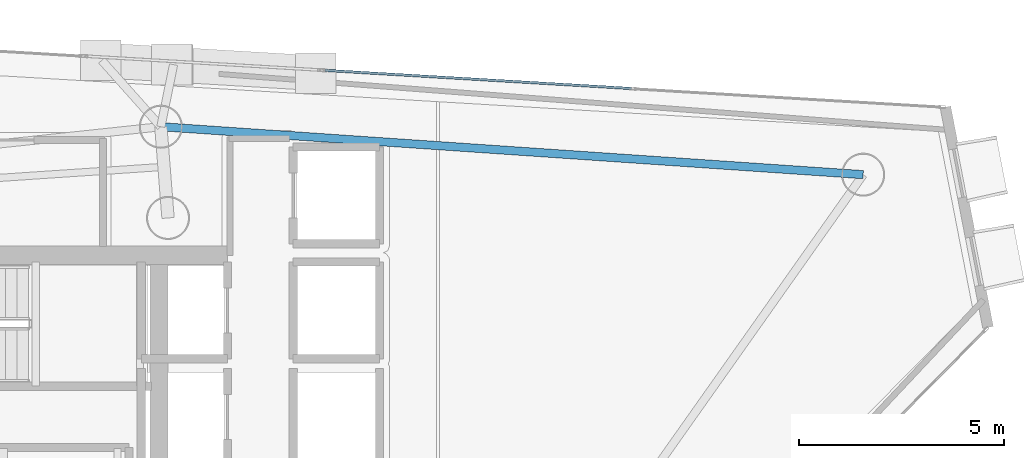
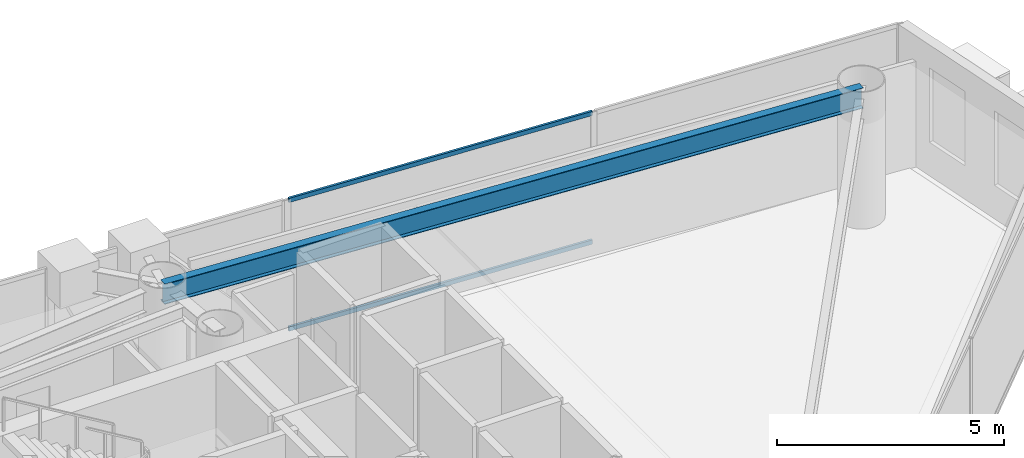
# One storey, part 13 of 20: 2 members, 1 beam, 1 element without a shape of its own.
"""IFC4 building model written with IfcOpenShell, lengths in metres."""

import ifcopenshell
import ifcopenshell.guid

model = None  # the IFC model being written
_history = None  # IfcOwnerHistory: only IFC2X3 demands one
_inside = {}  # id of a spatial element -> (the spatial element, [elements in it])
_under = {}  # id of a project, library or spatial element -> (it, [spatial elements below it])
_declared = {}  # id of a project -> (the project, [libraries it declares])
_typed = {}  # id of a type object -> (the type object, [elements of that type])
_made_of = {}  # id of a material, layer set ... -> (it, [elements and type objects made of it])


def new_model(schema):
    """Start an empty IFC model of exactly this schema.

    Asked for "IFC4X3", IfcOpenShell would pick the latest addendum, in which some entities
    have other attributes; the version numbers below select the first issue.
    IFC2X3 requires an IfcOwnerHistory on every rooted entity: one is made here for all.
    """
    global model, _history
    if schema == "IFC4X3":
        model = ifcopenshell.file(schema_version=(4, 3, 0, 0))
    else:
        model = ifcopenshell.file(schema=schema)
    _inside.clear()
    _under.clear()
    _declared.clear()
    _typed.clear()
    _made_of.clear()
    _history = None
    if model.schema == "IFC2X3":
        org = make("IfcOrganization", Name="unknown")
        user = make(
            "IfcPersonAndOrganization",
            ThePerson=make("IfcPerson", FamilyName="unknown"),
            TheOrganization=org,
        )
        app = make(
            "IfcApplication",
            ApplicationDeveloper=org,
            Version="unknown",
            ApplicationFullName="unknown",
            ApplicationIdentifier="unknown",
        )
        _history = make(
            "IfcOwnerHistory",
            OwningUser=user,
            OwningApplication=app,
            ChangeAction="ADDED",
            CreationDate=0,
        )
    return model


def make(cls, **values):
    """One entity of the class cls with the attributes given. An attribute that is None is left unset."""
    return model.create_entity(
        cls, **{name: value for name, value in values.items() if value is not None}
    )


def rooted(cls, **values):
    """An entity with a GlobalId (a new one), such as an element, a storey or a relation."""
    return make(cls, GlobalId=ifcopenshell.guid.new(), OwnerHistory=_history, **values)


def si_unit(unit_type, name, prefix=None):
    """IfcSIUnit, for example si_unit("LENGTHUNIT", "METRE", prefix="MILLI")."""
    return make("IfcSIUnit", UnitType=unit_type, Prefix=prefix, Name=name)


def assignment(units):
    """IfcUnitAssignment: the units of a project."""
    return None if units is None else make("IfcUnitAssignment", Units=units)


def point(xyz):
    """IfcCartesianPoint."""
    return None if xyz is None else make("IfcCartesianPoint", Coordinates=xyz)


def direction(xyz):
    """IfcDirection."""
    return None if xyz is None else make("IfcDirection", DirectionRatios=xyz)


def frame(location, z_axis=None, x_axis=None):
    """IfcAxis2Placement3D, a coordinate frame: its origin and axes. An axis left out is left unset."""
    return make(
        "IfcAxis2Placement3D",
        Location=point(location),
        Axis=direction(z_axis),
        RefDirection=direction(x_axis),
    )


def frame_2d(location, x_axis=None):
    """IfcAxis2Placement2D, a coordinate frame in the plane: its origin and x axis."""
    return make(
        "IfcAxis2Placement2D", Location=point(location), RefDirection=direction(x_axis)
    )


def origin():
    """The frame at (0, 0, 0) with its axes left unset."""
    return frame((0.0, 0.0, 0.0))


def origin_2d():
    """The frame at (0, 0) in the plane with its x axis left unset."""
    return frame_2d((0.0, 0.0))


def place(relative_to, where):
    """IfcLocalPlacement: puts the frame where relative to a parent placement (None: the world)."""
    return make(
        "IfcLocalPlacement", PlacementRelTo=relative_to, RelativePlacement=where
    )


def context(
    kind, dimensions, precision=None, world=None, true_north=None, identifier=None
):
    """IfcGeometricRepresentationContext, for example the 3D "Model" context."""
    return make(
        "IfcGeometricRepresentationContext",
        ContextIdentifier=identifier,
        ContextType=kind,
        CoordinateSpaceDimension=dimensions,
        Precision=precision,
        WorldCoordinateSystem=world,
        TrueNorth=true_north,
    )


def subcontext(parent, identifier, kind, view, scale=None):
    """IfcGeometricRepresentationSubContext, for example "Body" below "Model"."""
    return make(
        "IfcGeometricRepresentationSubContext",
        ContextIdentifier=identifier,
        ContextType=kind,
        ParentContext=parent,
        TargetScale=scale,
        TargetView=view,
    )


def project(units=None, contexts=None):
    """IfcProject with its units and contexts."""
    return rooted(
        "IfcProject",
        Name="project",
        RepresentationContexts=contexts,
        UnitsInContext=assignment(units),
    )


def spatial(cls, under=None, at=None, **own):
    """A site, building, storey or space (cls), placed at a placement, below another one or the project."""
    s = rooted(cls, ObjectPlacement=at, **own)
    if under is not None:
        _under.setdefault(under.id(), (under, []))[1].append(s)
    return s


def profile(cls, at=None, kind="AREA", **sizes):
    """A parametric profile (cls). Its sizes go by their IFC names, for example OverallWidth=200.0."""
    return make(cls, ProfileType=kind, Position=at, **sizes)


def hollow_rectangle(**sizes):
    """IfcRectangleHollowProfileDef."""
    return profile("IfcRectangleHollowProfileDef", **sizes)


def i_section(**sizes):
    """IfcIShapeProfileDef."""
    return profile("IfcIShapeProfileDef", **sizes)


def extrude(swept, where, along, depth):
    """IfcExtrudedAreaSolid: the profile swept, set in the frame where, extruded along a direction by depth."""
    return make(
        "IfcExtrudedAreaSolid",
        SweptArea=swept,
        Position=where,
        ExtrudedDirection=direction(along),
        Depth=depth,
    )


def shape(context_of_items, identifier, shape_type, items):
    """IfcShapeRepresentation: the items that make up one representation, for example the "Body"."""
    return make(
        "IfcShapeRepresentation",
        ContextOfItems=context_of_items,
        RepresentationIdentifier=identifier,
        RepresentationType=shape_type,
        Items=items,
    )


def material(Name=None, Category=None):
    """IfcMaterial."""
    return make("IfcMaterial", Name=Name, Category=Category)


def layer(
    of_material, thickness, ventilated=None, Name=None, Category=None, Priority=None
):
    """IfcMaterialLayer: one layer of a wall or slab, of a material (None: an air gap)."""
    return make(
        "IfcMaterialLayer",
        Material=of_material,
        LayerThickness=thickness,
        IsVentilated=ventilated,
        Name=Name,
        Category=Category,
        Priority=Priority,
    )


def layer_set(layers, Name=None):
    """IfcMaterialLayerSet."""
    return make("IfcMaterialLayerSet", MaterialLayers=layers, LayerSetName=Name)


def material_profile(
    of_material, cross_section, Name=None, Category=None, Priority=None
):
    """IfcMaterialProfile: a cross section and its material."""
    return make(
        "IfcMaterialProfile",
        Name=Name,
        Material=of_material,
        Profile=cross_section,
        Priority=Priority,
        Category=Category,
    )


def profile_set(profiles, Name=None, composite=None):
    """IfcMaterialProfileSet."""
    return make(
        "IfcMaterialProfileSet",
        Name=Name,
        MaterialProfiles=profiles,
        CompositeProfile=composite,
    )


def made_of(thing, what):
    """Note that an element or type object is made of a material, layer set ...; save() writes the relation."""
    if what is not None:
        _made_of.setdefault(what.id(), (what, []))[1].append(thing)
    return thing


def type_object(cls, material=None, **own):
    """A type object (cls), such as IfcWallType, which elements share."""
    return made_of(rooted(cls, **own), material)


def element(
    cls,
    number,
    at=None,
    inside=None,
    cuts=None,
    type_object=None,
    material=None,
    context=None,
    identifier="Body",
    shape_type=None,
    held_by="IfcProductDefinitionShape",
    body=None,
    shapes=None,
    **own,
):
    """One element of the class cls, such as IfcWall. Its Tag is "e" and its number.

    at: its placement. inside: the storey or other place that contains it. cuts: it is an
    opening in that element (IfcRelVoidsElement). A single representation is given by context,
    identifier, shape_type and body (its items); several are given by shapes. held_by: the class
    of the entity that holds the representations. save() writes the other relations.
    """
    e = rooted(cls, Tag="e%d" % number, ObjectPlacement=at, **own)
    if body is not None:
        shapes = [shape(context, identifier, shape_type, body)]
    if shapes is not None:
        e.Representation = make(held_by, Representations=shapes)
    if inside is not None:
        _inside.setdefault(inside.id(), (inside, []))[1].append(e)
    if cuts is not None:
        rooted(
            "IfcRelVoidsElement", RelatingBuildingElement=cuts, RelatedOpeningElement=e
        )
    if type_object is not None:
        _typed.setdefault(type_object.id(), (type_object, []))[1].append(e)
    return made_of(e, material)


def aggregate(whole, parts):
    """IfcRelAggregates: a whole, such as a stair, and the parts it consists of."""
    return rooted("IfcRelAggregates", RelatingObject=whole, RelatedObjects=parts)


def save(model, path):
    """Write the relations noted so far, then the file.

    IfcRelAggregates (storeys below a building ...), IfcRelContainedInSpatialStructure (elements
    in a storey), IfcRelDefinesByType, IfcRelAssociatesMaterial and IfcRelDeclares: one each for
    every whole, place, type object, material and project.
    """
    for whole, parts in _under.values():
        aggregate(whole, parts)
    for where, things in _inside.values():
        rooted(
            "IfcRelContainedInSpatialStructure",
            RelatedElements=things,
            RelatingStructure=where,
        )
    for kind, things in _typed.values():
        rooted("IfcRelDefinesByType", RelatedObjects=things, RelatingType=kind)
    for what, things in _made_of.values():
        rooted("IfcRelAssociatesMaterial", RelatedObjects=things, RelatingMaterial=what)
    for by, libraries in _declared.values():
        rooted("IfcRelDeclares", RelatingContext=by, RelatedDefinitions=libraries)
    model.write(path)


model = new_model("IFC4")

# Units and contexts
model_context = context("Model", 3, precision=1e-05, world=origin(), true_north=direction((0.0, 1.0)))
body_context = subcontext(model_context, "Body", "Model", "MODEL_VIEW")
ifc_project = project(units=[si_unit("LENGTHUNIT", "METRE"), si_unit("AREAUNIT", "SQUARE_METRE"), si_unit("VOLUMEUNIT", "CUBIC_METRE"), si_unit("PLANEANGLEUNIT", "RADIAN"), si_unit("MASSUNIT", "GRAM", prefix="KILO")], contexts=[model_context])

# Site, building, storey
site_placement = place(None, origin())
site = spatial("IfcSite", under=ifc_project, at=site_placement, CompositionType="ELEMENT")
building_placement = place(site_placement, origin())
building = spatial("IfcBuilding", under=site, at=building_placement, Name="Qianvela Tower", CompositionType="ELEMENT")
storey_placement = place(building_placement, frame((0.0, 0.0, 239.0)))
storey = spatial("IfcBuildingStorey", under=building, at=storey_placement, Name="L61", CompositionType="ELEMENT", Elevation=239.0)

# Beam
ifc_material_1 = material(Name="Steel Q355B", Category="steel")
ifc_material_profile_1 = material_profile(ifc_material_1, i_section(OverallWidth=0.199951171875, OverallDepth=0.550048828125, WebThickness=0.010009765625, FlangeThickness=0.01611328125, at=origin_2d()), Name="HN550x200x10x16")
ifc_profile_set_1 = profile_set([ifc_material_profile_1], Name="Steel Q355B")
beam_type = type_object("IfcBeamType", Name="BM-HN550-GIRD", PredefinedType="BEAM", material=ifc_profile_set_1)
beam_placement = place(storey_placement, frame((55.33203125, 34.60498046875, 3.242919921875), z_axis=(-0.997677407473, 0.068116008525, 0.0), x_axis=(-0.068116008525, -0.997677407473, 0.0)))
element("IfcBeam", 1, at=beam_placement, inside=storey, type_object=beam_type, Name="L61 Perimeter Ring Spandrel Girder 1", PredefinedType="BEAM", context=body_context, shape_type="SweptSolid", body=[
    extrude(i_section(OverallWidth=0.199951171875, OverallDepth=0.550048828125, WebThickness=0.010009765625, FlangeThickness=0.01611328125, at=origin_2d()), origin(), (0.0, 0.0, 1.0), 17.146728515625),
])

# Curtain wall, members
ifc_material_2 = material(Name="Anodised Architectural Aluminium and Low-E Glass", Category="aluminium")
ifc_layer = layer(ifc_material_2, 0.159912109375)
ifc_layer_set = layer_set([ifc_layer], Name="Anodised Architectural Aluminium and Low-E Glass")
curtain_wall_type = type_object("IfcCurtainWallType", Name="CW-COLIV-Z56", PredefinedType="USERDEFINED", material=ifc_layer_set)
curtain_wall_placement = place(storey_placement, origin())
curtain_wall = element("IfcCurtainWall", 2, at=curtain_wall_placement, inside=storey, type_object=curtain_wall_type, Name="L61 CW-COLIV-Z56 Curtain Wall 02A", ObjectType="CURTAIN_WALL_SYSTEM", PredefinedType="USERDEFINED")
ifc_material_3 = material(Name="Anodised Architectural Aluminium 6063-T6", Category="aluminium")
ifc_material_profile_2 = material_profile(ifc_material_3, hollow_rectangle(XDim=0.06005859375, YDim=0.114990234375, WallThickness=0.00390625, at=origin_2d()), Name="ALU-TRAN-60x115")
ifc_profile_set_2 = profile_set([ifc_material_profile_2], Name="Anodised Architectural Aluminium 6063-T6")
member_type = type_object("IfcMemberType", Name="CW-COLIV-Z56-TRAN", PredefinedType="USERDEFINED", material=ifc_profile_set_2)
member_1_placement = place(storey_placement, frame((49.68896484375, 36.703369140625, 0.030029296875), z_axis=(-0.99824692515, 0.059186792686, 0.0), x_axis=(-0.059186792686, -0.99824692515, 0.0)))
member_1 = element("IfcMember", 3, at=member_1_placement, type_object=member_type, Name="CW-5 transom 2.1", ObjectType="TRANSOM", PredefinedType="USERDEFINED", context=body_context, shape_type="SweptSolid", body=[
    extrude(hollow_rectangle(XDim=0.06005859375, YDim=0.114990234375, WallThickness=0.00390625, at=origin_2d()), origin(), (0.0, 0.0, 1.0), 7.482666015625),
])
member_2_placement = place(storey_placement, frame((49.68896484375, 36.703369140625, 3.489990234375), z_axis=(-0.99824692515, 0.059186792686, 0.0), x_axis=(-0.059186792686, -0.99824692515, 0.0)))
member_2 = element("IfcMember", 4, at=member_2_placement, type_object=member_type, Name="CW-5 transom 2.2", ObjectType="TRANSOM", PredefinedType="USERDEFINED", context=body_context, shape_type="SweptSolid", body=[
    extrude(hollow_rectangle(XDim=0.06005859375, YDim=0.114990234375, WallThickness=0.00390625, at=origin_2d()), origin(), (0.0, 0.0, 1.0), 7.482666015625),
])
aggregate(curtain_wall, [member_1, member_2])

save(model, "model.ifc")
